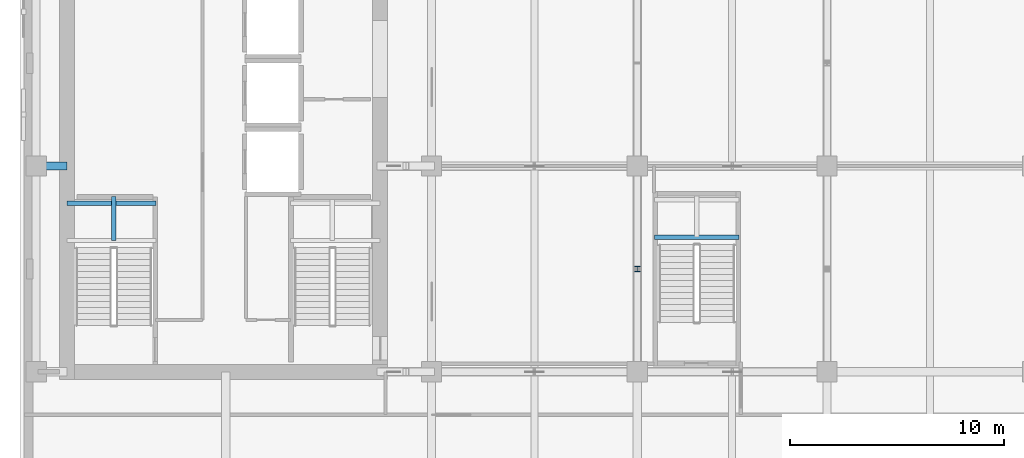
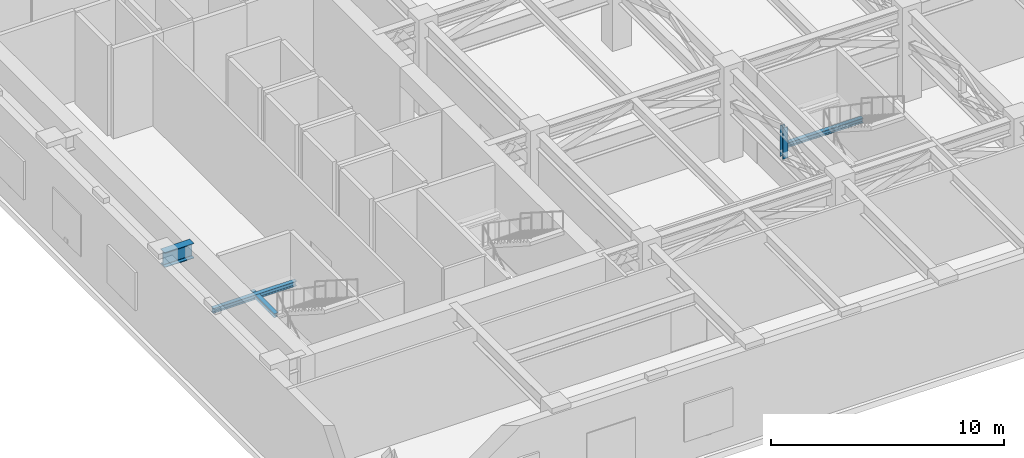
# One storey, part 2 of 21: 4 beams, 1 member.
"""IFC4 building model written with IfcOpenShell, lengths in metres."""

from ifc_helpers import new_model, si_unit, direction, frame, origin, origin_2d, place, context, subcontext, project, spatial, i_section, extrude, material, material_profile, profile_set, type_object, element, save


model = new_model("IFC4")

# Units and contexts
model_context = context("Model", 3, precision=1e-05, world=origin(), true_north=direction((0.0, 1.0)))
body_context = subcontext(model_context, "Body", "Model", "MODEL_VIEW")
ifc_project = project(units=[si_unit("LENGTHUNIT", "METRE"), si_unit("AREAUNIT", "SQUARE_METRE"), si_unit("VOLUMEUNIT", "CUBIC_METRE"), si_unit("PLANEANGLEUNIT", "RADIAN"), si_unit("MASSUNIT", "GRAM", prefix="KILO")], contexts=[model_context])

# Site, building, storey
site_placement = place(None, origin())
site = spatial("IfcSite", under=ifc_project, at=site_placement, CompositionType="ELEMENT")
building_placement = place(site_placement, origin())
building = spatial("IfcBuilding", under=site, at=building_placement, Name="Norrvale University Quadrangle", CompositionType="ELEMENT")
storey_placement = place(building_placement, frame((0.0, 0.0, 194.0)))
storey = spatial("IfcBuildingStorey", under=building, at=storey_placement, Name="L49", CompositionType="ELEMENT", Elevation=194.0)

# Beams
ifc_material = material(Name="Steel 350W", Category="steel")
ifc_material_profile_1 = material_profile(ifc_material, i_section(OverallWidth=0.381103515625, OverallDepth=0.77294921875, WebThickness=0.0166015625, FlangeThickness=0.027587890625, FilletRadius=0.02001953125, at=origin_2d()), Name="Steel 350W")
ifc_profile_set_1 = profile_set([ifc_material_profile_1], Name="Steel 350W")
beam_type_1 = type_object("IfcBeamType", Name="Beam Outrig W760x257", PredefinedType="BEAM", material=ifc_profile_set_1)
beam_1_placement = place(storey_placement, frame((0.75, 19.199951171875, 4.353515625), z_axis=(1.0, 0.0, 0.0), x_axis=(0.0, 1.0, 0.0)))
element("IfcBeam", 1, at=beam_1_placement, inside=storey, type_object=beam_type_1, Name="Beam Outrig W760x257 BM-L49-GCW060", PredefinedType="BEAM", context=body_context, shape_type="SweptSolid", body=[
    extrude(i_section(OverallWidth=0.381103515625, OverallDepth=0.77294921875, WebThickness=0.0166015625, FlangeThickness=0.027587890625, FilletRadius=0.02001953125, at=origin_2d()), origin(), (0.0, 0.0, 1.0), 1.449951171875),
])
ifc_material_profile_2 = material_profile(ifc_material, i_section(OverallWidth=0.201904296875, OverallDepth=0.2470703125, WebThickness=0.00732421875, FlangeThickness=0.010986328125, FilletRadius=0.011962890625, at=origin_2d()), Name="Steel 350W")
ifc_profile_set_2 = profile_set([ifc_material_profile_2], Name="Steel 350W")
beam_type_2 = type_object("IfcBeamType", Name="Beam Stair W250x49", PredefinedType="BEAM", material=ifc_profile_set_2)
beam_2_placement = place(storey_placement, frame((2.199951171875, 17.469970703125, 2.176513671875), z_axis=(1.0, 0.0, 0.0), x_axis=(0.0, 1.0, 0.0)))
element("IfcBeam", 2, at=beam_2_placement, inside=storey, type_object=beam_type_2, Name="Stair Mid-Landing Rear Beam ST-01 L49", PredefinedType="BEAM", context=body_context, shape_type="SweptSolid", body=[
    extrude(i_section(OverallWidth=0.201904296875, OverallDepth=0.2470703125, WebThickness=0.00732421875, FlangeThickness=0.010986328125, FilletRadius=0.011962890625, at=origin_2d()), origin(), (0.0, 0.0, 1.0), 4.14013671875),
])
beam_3_placement = place(storey_placement, frame((29.610107421875, 15.8798828125, 2.176513671875), z_axis=(1.0, 0.0, 0.0), x_axis=(0.0, 1.0, 0.0)))
element("IfcBeam", 3, at=beam_3_placement, inside=storey, type_object=beam_type_2, Name="Stair Mid-Landing Front Beam ST-04 L49", PredefinedType="BEAM", context=body_context, shape_type="SweptSolid", body=[
    extrude(i_section(OverallWidth=0.201904296875, OverallDepth=0.2470703125, WebThickness=0.00732421875, FlangeThickness=0.010986328125, FilletRadius=0.011962890625, at=origin_2d()), origin(), (0.0, 0.0, 1.0), 3.929931640625),
])
ifc_material_profile_3 = material_profile(ifc_material, i_section(OverallWidth=0.202880859375, OverallDepth=0.202880859375, WebThickness=0.007080078125, FlangeThickness=0.010986328125, FilletRadius=0.010009765625, at=origin_2d()), Name="Steel 350W")
ifc_profile_set_3 = profile_set([ifc_material_profile_3], Name="Steel 350W")
beam_type_3 = type_object("IfcBeamType", Name="Beam Trim W200x46", PredefinedType="BEAM", material=ifc_profile_set_3)
beam_4_placement = place(storey_placement, frame((4.375, 15.72998046875, 2.198486328125), z_axis=(0.0, 1.0, 0.0), x_axis=(-1.0, 0.0, 0.0)))
element("IfcBeam", 4, at=beam_4_placement, inside=storey, type_object=beam_type_3, Name="Stair Mid-Landing Cross Beam ST-01 L49", PredefinedType="BEAM", context=body_context, shape_type="SweptSolid", body=[
    extrude(i_section(OverallWidth=0.202880859375, OverallDepth=0.202880859375, WebThickness=0.007080078125, FlangeThickness=0.010986328125, FilletRadius=0.010009765625, at=origin_2d()), origin(), (0.0, 0.0, 1.0), 2.06005859375),
])

# Member
ifc_material_profile_4 = material_profile(ifc_material, i_section(OverallWidth=0.25390625, OverallDepth=0.2529296875, WebThickness=0.008544921875, FlangeThickness=0.01416015625, FilletRadius=0.011962890625, at=origin_2d()), Name="Steel 350W")
ifc_profile_set_4 = profile_set([ifc_material_profile_4], Name="Steel 350W")
member_type = type_object("IfcMemberType", Name="Member Post W250x73", PredefinedType="POST", material=ifc_profile_set_4)
member_placement = place(storey_placement, frame((28.800048828125, 14.39990234375, 2.75), z_axis=(0.0, 0.0, 1.0), x_axis=(1.0, 0.0, 0.0)))
element("IfcMember", 5, at=member_placement, inside=storey, type_object=member_type, Name="Belt Truss Post L49-04", PredefinedType="POST", context=body_context, shape_type="SweptSolid", body=[
    extrude(i_section(OverallWidth=0.25390625, OverallDepth=0.2529296875, WebThickness=0.008544921875, FlangeThickness=0.01416015625, FilletRadius=0.011962890625, at=origin_2d()), origin(), (0.0, 0.0, 1.0), 1.639892578125),
])

save(model, "model.ifc")
